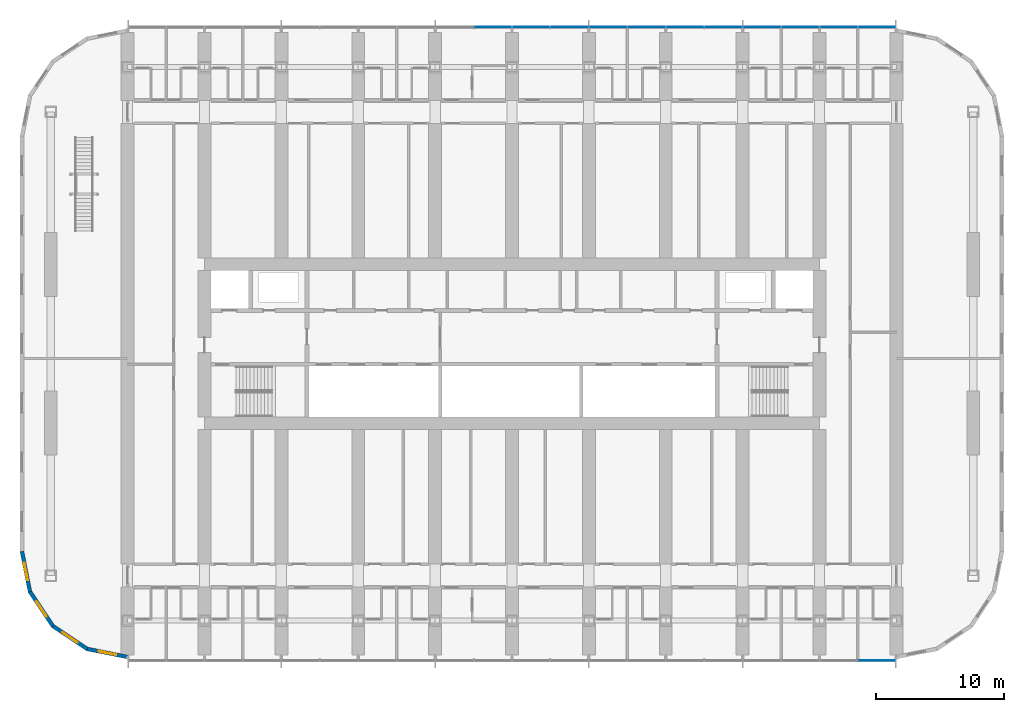
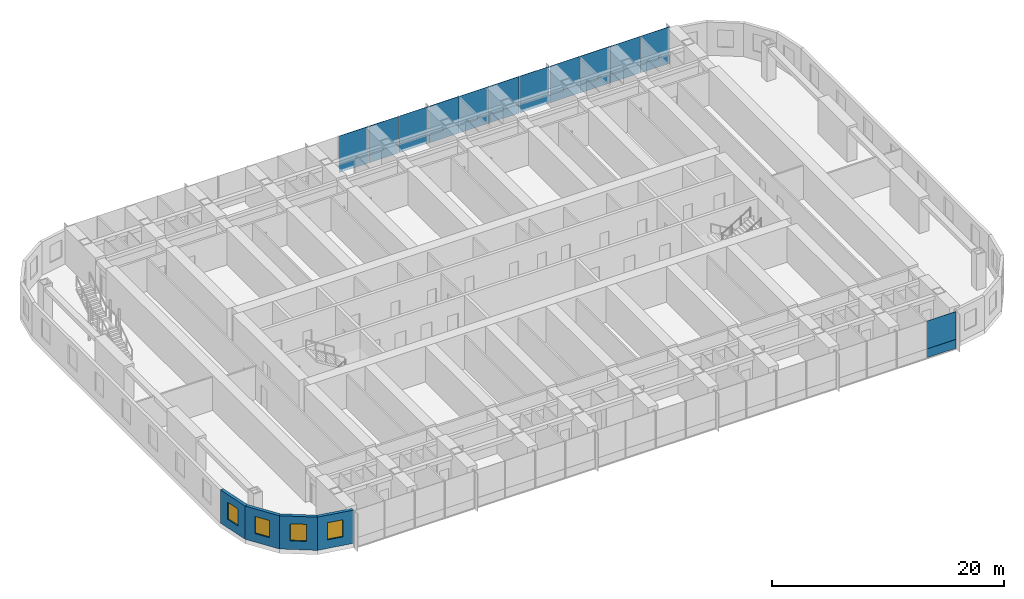
# One storey, part 11 of 28: 24 plates, 4 walls, 4 windows, 4 openings, 2 elements without a shape of their own.
"""IFC4 building model written with IfcOpenShell, lengths in metres."""

from ifc_helpers import new_model, si_unit, direction, frame, frame_2d, origin, origin_2d, place, context, subcontext, project, spatial, polyline, rectangle, outline, extrude, material, layer, layer_set, type_object, element, fill, aggregate, save


model = new_model("IFC4")

# Units and contexts
model_context = context("Model", 3, precision=1e-05, world=origin(), true_north=direction((0.0, 1.0)))
body_context = subcontext(model_context, "Body", "Model", "MODEL_VIEW")
ifc_project = project(units=[si_unit("LENGTHUNIT", "METRE"), si_unit("AREAUNIT", "SQUARE_METRE"), si_unit("VOLUMEUNIT", "CUBIC_METRE"), si_unit("PLANEANGLEUNIT", "RADIAN"), si_unit("MASSUNIT", "GRAM", prefix="KILO")], contexts=[model_context])

# Site, building, storey
site_placement = place(None, origin())
site = spatial("IfcSite", under=ifc_project, at=site_placement, CompositionType="ELEMENT")
building_placement = place(site_placement, origin())
building = spatial("IfcBuilding", under=site, at=building_placement, Name="Orbita Commons", CompositionType="ELEMENT")
storey_placement = place(building_placement, frame((0.0, 0.0, 23.949951171875)))
storey = spatial("IfcBuildingStorey", under=building, at=storey_placement, Name="L05", CompositionType="ELEMENT", Elevation=23.949951171875)

# Curtain wall, plate
ifc_material_1 = material(Name="Anodised aluminium frame, pale silver", Category="aluminium")
curtain_wall_type = type_object("IfcCurtainWallType", Name="Unitised curtain wall CW-T, vision and spandrel", PredefinedType="NOTDEFINED", material=ifc_material_1)
curtain_wall_1_placement = place(storey_placement, origin())
curtain_wall_1 = element("IfcCurtainWall", 1, at=curtain_wall_1_placement, inside=storey, type_object=curtain_wall_type, Name="Curtain wall south L05", PredefinedType="NOTDEFINED")
ifc_material_2 = material(Name="Anodised aluminium sheet on mineral wool", Category="aluminium")
ifc_layer_1 = layer(ifc_material_2, 0.050048828125)
ifc_layer_set_1 = layer_set([ifc_layer_1], Name="Anodised aluminium sheet on mineral wool")
plate_type_1 = type_object("IfcPlateType", Name="Spandrel panel, pale aluminium over insulation 50", PredefinedType="CURTAIN_PANEL", material=ifc_layer_set_1)
plate_1_placement = place(storey_placement, frame((70.47998046875, 7.2900390625, -0.35009765625), z_axis=(0.0, 0.0, 1.0), x_axis=(1.0, 0.0, 0.0)))
plate_1 = element("IfcPlate", 2, at=plate_1_placement, type_object=plate_type_1, Name="Panel 20.1 CW-L05-S", PredefinedType="CURTAIN_PANEL", context=body_context, shape_type="SweptSolid", body=[
    extrude(rectangle(XDim=2.8798828125, YDim=0.050048828125, at=origin_2d()), origin(), (0.0, 0.0, 1.0), 0.927001953125),
])

# Curtain wall, plates
curtain_wall_2_placement = place(storey_placement, origin())
curtain_wall_2 = element("IfcCurtainWall", 3, at=curtain_wall_2_placement, inside=storey, type_object=curtain_wall_type, Name="Curtain wall north L05", PredefinedType="NOTDEFINED")
plate_2_placement = place(storey_placement, frame((70.47998046875, 56.7099609375, -0.35009765625), z_axis=(0.0, 0.0, 1.0), x_axis=(-1.0, 0.0, 0.0)))
plate_2 = element("IfcPlate", 4, at=plate_2_placement, type_object=plate_type_1, Name="Panel 1.1 CW-L05-N", PredefinedType="CURTAIN_PANEL", context=body_context, shape_type="SweptSolid", body=[
    extrude(rectangle(XDim=2.8798828125, YDim=0.050048828125, at=origin_2d()), origin(), (0.0, 0.0, 1.0), 0.927001953125),
])
plate_3_placement = place(storey_placement, frame((67.5, 56.7099609375, -0.35009765625), z_axis=(0.0, 0.0, 1.0), x_axis=(-1.0, 0.0, 0.0)))
plate_3 = element("IfcPlate", 5, at=plate_3_placement, type_object=plate_type_1, Name="Panel 2.1 CW-L05-N", PredefinedType="CURTAIN_PANEL", context=body_context, shape_type="SweptSolid", body=[
    extrude(rectangle(XDim=2.919921875, YDim=0.050048828125, at=origin_2d()), origin(), (0.0, 0.0, 1.0), 0.927001953125),
])
plate_4_placement = place(storey_placement, frame((64.5, 56.7099609375, -0.35009765625), z_axis=(0.0, 0.0, 1.0), x_axis=(-1.0, 0.0, 0.0)))
plate_4 = element("IfcPlate", 6, at=plate_4_placement, type_object=plate_type_1, Name="Panel 3.1 CW-L05-N", PredefinedType="CURTAIN_PANEL", context=body_context, shape_type="SweptSolid", body=[
    extrude(rectangle(XDim=2.919921875, YDim=0.050048828125, at=origin_2d()), origin(), (0.0, 0.0, 1.0), 0.927001953125),
])
plate_5_placement = place(storey_placement, frame((61.5, 56.7099609375, -0.35009765625), z_axis=(0.0, 0.0, 1.0), x_axis=(-1.0, 0.0, 0.0)))
plate_5 = element("IfcPlate", 7, at=plate_5_placement, type_object=plate_type_1, Name="Panel 4.1 CW-L05-N", PredefinedType="CURTAIN_PANEL", context=body_context, shape_type="SweptSolid", body=[
    extrude(rectangle(XDim=2.919921875, YDim=0.050048828125, at=origin_2d()), origin(), (0.0, 0.0, 1.0), 0.927001953125),
])
plate_6_placement = place(storey_placement, frame((58.5, 56.7099609375, -0.35009765625), z_axis=(0.0, 0.0, 1.0), x_axis=(-1.0, 0.0, 0.0)))
plate_6 = element("IfcPlate", 8, at=plate_6_placement, type_object=plate_type_1, Name="Panel 5.1 CW-L05-N", PredefinedType="CURTAIN_PANEL", context=body_context, shape_type="SweptSolid", body=[
    extrude(rectangle(XDim=2.919921875, YDim=0.050048828125, at=origin_2d()), origin(), (0.0, 0.0, 1.0), 0.927001953125),
])
plate_7_placement = place(storey_placement, frame((55.5, 56.7099609375, -0.35009765625), z_axis=(0.0, 0.0, 1.0), x_axis=(-1.0, 0.0, 0.0)))
plate_7 = element("IfcPlate", 9, at=plate_7_placement, type_object=plate_type_1, Name="Panel 6.1 CW-L05-N", PredefinedType="CURTAIN_PANEL", context=body_context, shape_type="SweptSolid", body=[
    extrude(rectangle(XDim=2.919921875, YDim=0.050048828125, at=origin_2d()), origin(), (0.0, 0.0, 1.0), 0.927001953125),
])
plate_8_placement = place(storey_placement, frame((52.5, 56.7099609375, -0.35009765625), z_axis=(0.0, 0.0, 1.0), x_axis=(-1.0, 0.0, 0.0)))
plate_8 = element("IfcPlate", 10, at=plate_8_placement, type_object=plate_type_1, Name="Panel 7.1 CW-L05-N", PredefinedType="CURTAIN_PANEL", context=body_context, shape_type="SweptSolid", body=[
    extrude(rectangle(XDim=2.919921875, YDim=0.050048828125, at=origin_2d()), origin(), (0.0, 0.0, 1.0), 0.927001953125),
])
plate_9_placement = place(storey_placement, frame((49.5, 56.7099609375, -0.35009765625), z_axis=(0.0, 0.0, 1.0), x_axis=(-1.0, 0.0, 0.0)))
plate_9 = element("IfcPlate", 11, at=plate_9_placement, type_object=plate_type_1, Name="Panel 8.1 CW-L05-N", PredefinedType="CURTAIN_PANEL", context=body_context, shape_type="SweptSolid", body=[
    extrude(rectangle(XDim=2.919921875, YDim=0.050048828125, at=origin_2d()), origin(), (0.0, 0.0, 1.0), 0.927001953125),
])
plate_10_placement = place(storey_placement, frame((46.5, 56.7099609375, -0.35009765625), z_axis=(0.0, 0.0, 1.0), x_axis=(-1.0, 0.0, 0.0)))
plate_10 = element("IfcPlate", 12, at=plate_10_placement, type_object=plate_type_1, Name="Panel 9.1 CW-L05-N", PredefinedType="CURTAIN_PANEL", context=body_context, shape_type="SweptSolid", body=[
    extrude(rectangle(XDim=2.919921875, YDim=0.050048828125, at=origin_2d()), origin(), (0.0, 0.0, 1.0), 0.927001953125),
])
plate_11_placement = place(storey_placement, frame((43.5, 56.7099609375, -0.35009765625), z_axis=(0.0, 0.0, 1.0), x_axis=(-1.0, 0.0, 0.0)))
plate_11 = element("IfcPlate", 13, at=plate_11_placement, type_object=plate_type_1, Name="Panel 10.1 CW-L05-N", PredefinedType="CURTAIN_PANEL", context=body_context, shape_type="SweptSolid", body=[
    extrude(rectangle(XDim=2.919921875, YDim=0.050048828125, at=origin_2d()), origin(), (0.0, 0.0, 1.0), 0.927001953125),
])
plate_12_placement = place(storey_placement, frame((40.5, 56.7099609375, -0.35009765625), z_axis=(0.0, 0.0, 1.0), x_axis=(-1.0, 0.0, 0.0)))
plate_12 = element("IfcPlate", 14, at=plate_12_placement, type_object=plate_type_1, Name="Panel 11.1 CW-L05-N", PredefinedType="CURTAIN_PANEL", context=body_context, shape_type="SweptSolid", body=[
    extrude(rectangle(XDim=2.919921875, YDim=0.050048828125, at=origin_2d()), origin(), (0.0, 0.0, 1.0), 0.927001953125),
])

# Plate
ifc_material_3 = material(Name="Clear double glazing", Category="glass")
ifc_layer_2 = layer(ifc_material_3, 0.031982421875)
ifc_layer_set_2 = layer_set([ifc_layer_2], Name="Clear double glazing")
plate_type_2 = type_object("IfcPlateType", Name="Vision panel, clear double glazing 32", PredefinedType="CURTAIN_PANEL", material=ifc_layer_set_2)
plate_13_placement = place(storey_placement, frame((70.47998046875, 7.2900390625, 0.5771484375), z_axis=(0.0, 0.0, 1.0), x_axis=(1.0, 0.0, 0.0)))
plate_13 = element("IfcPlate", 15, at=plate_13_placement, type_object=plate_type_2, Name="Panel 20.2 CW-L05-S", PredefinedType="CURTAIN_PANEL", context=body_context, shape_type="SweptSolid", body=[
    extrude(rectangle(XDim=2.8798828125, YDim=0.031982421875, at=origin_2d()), origin(), (0.0, 0.0, 1.0), 2.923095703125),
])

aggregate(curtain_wall_1, [plate_1, plate_13])

plate_14_placement = place(storey_placement, frame((70.47998046875, 56.7099609375, 0.5771484375), z_axis=(0.0, 0.0, 1.0), x_axis=(-1.0, 0.0, 0.0)))
plate_14 = element("IfcPlate", 16, at=plate_14_placement, type_object=plate_type_2, Name="Panel 1.2 CW-L05-N", PredefinedType="CURTAIN_PANEL", context=body_context, shape_type="SweptSolid", body=[
    extrude(rectangle(XDim=2.8798828125, YDim=0.031982421875, at=origin_2d()), origin(), (0.0, 0.0, 1.0), 2.923095703125),
])

plate_15_placement = place(storey_placement, frame((67.5, 56.7099609375, 0.5771484375), z_axis=(0.0, 0.0, 1.0), x_axis=(-1.0, 0.0, 0.0)))
plate_15 = element("IfcPlate", 17, at=plate_15_placement, type_object=plate_type_2, Name="Panel 2.2 CW-L05-N", PredefinedType="CURTAIN_PANEL", context=body_context, shape_type="SweptSolid", body=[
    extrude(rectangle(XDim=2.919921875, YDim=0.031982421875, at=origin_2d()), origin(), (0.0, 0.0, 1.0), 2.923095703125),
])

plate_16_placement = place(storey_placement, frame((64.5, 56.7099609375, 0.5771484375), z_axis=(0.0, 0.0, 1.0), x_axis=(-1.0, 0.0, 0.0)))
plate_16 = element("IfcPlate", 18, at=plate_16_placement, type_object=plate_type_2, Name="Panel 3.2 CW-L05-N", PredefinedType="CURTAIN_PANEL", context=body_context, shape_type="SweptSolid", body=[
    extrude(rectangle(XDim=2.919921875, YDim=0.031982421875, at=origin_2d()), origin(), (0.0, 0.0, 1.0), 2.923095703125),
])

plate_17_placement = place(storey_placement, frame((61.5, 56.7099609375, 0.5771484375), z_axis=(0.0, 0.0, 1.0), x_axis=(-1.0, 0.0, 0.0)))
plate_17 = element("IfcPlate", 19, at=plate_17_placement, type_object=plate_type_2, Name="Panel 4.2 CW-L05-N", PredefinedType="CURTAIN_PANEL", context=body_context, shape_type="SweptSolid", body=[
    extrude(rectangle(XDim=2.919921875, YDim=0.031982421875, at=origin_2d()), origin(), (0.0, 0.0, 1.0), 2.923095703125),
])

plate_18_placement = place(storey_placement, frame((58.5, 56.7099609375, 0.5771484375), z_axis=(0.0, 0.0, 1.0), x_axis=(-1.0, 0.0, 0.0)))
plate_18 = element("IfcPlate", 20, at=plate_18_placement, type_object=plate_type_2, Name="Panel 5.2 CW-L05-N", PredefinedType="CURTAIN_PANEL", context=body_context, shape_type="SweptSolid", body=[
    extrude(rectangle(XDim=2.919921875, YDim=0.031982421875, at=origin_2d()), origin(), (0.0, 0.0, 1.0), 2.923095703125),
])

plate_19_placement = place(storey_placement, frame((55.5, 56.7099609375, 0.5771484375), z_axis=(0.0, 0.0, 1.0), x_axis=(-1.0, 0.0, 0.0)))
plate_19 = element("IfcPlate", 21, at=plate_19_placement, type_object=plate_type_2, Name="Panel 6.2 CW-L05-N", PredefinedType="CURTAIN_PANEL", context=body_context, shape_type="SweptSolid", body=[
    extrude(rectangle(XDim=2.919921875, YDim=0.031982421875, at=origin_2d()), origin(), (0.0, 0.0, 1.0), 2.923095703125),
])

plate_20_placement = place(storey_placement, frame((52.5, 56.7099609375, 0.5771484375), z_axis=(0.0, 0.0, 1.0), x_axis=(-1.0, 0.0, 0.0)))
plate_20 = element("IfcPlate", 22, at=plate_20_placement, type_object=plate_type_2, Name="Panel 7.2 CW-L05-N", PredefinedType="CURTAIN_PANEL", context=body_context, shape_type="SweptSolid", body=[
    extrude(rectangle(XDim=2.919921875, YDim=0.031982421875, at=origin_2d()), origin(), (0.0, 0.0, 1.0), 2.923095703125),
])

plate_21_placement = place(storey_placement, frame((49.5, 56.7099609375, 0.5771484375), z_axis=(0.0, 0.0, 1.0), x_axis=(-1.0, 0.0, 0.0)))
plate_21 = element("IfcPlate", 23, at=plate_21_placement, type_object=plate_type_2, Name="Panel 8.2 CW-L05-N", PredefinedType="CURTAIN_PANEL", context=body_context, shape_type="SweptSolid", body=[
    extrude(rectangle(XDim=2.919921875, YDim=0.031982421875, at=origin_2d()), origin(), (0.0, 0.0, 1.0), 2.923095703125),
])

plate_22_placement = place(storey_placement, frame((46.5, 56.7099609375, 0.5771484375), z_axis=(0.0, 0.0, 1.0), x_axis=(-1.0, 0.0, 0.0)))
plate_22 = element("IfcPlate", 24, at=plate_22_placement, type_object=plate_type_2, Name="Panel 9.2 CW-L05-N", PredefinedType="CURTAIN_PANEL", context=body_context, shape_type="SweptSolid", body=[
    extrude(rectangle(XDim=2.919921875, YDim=0.031982421875, at=origin_2d()), origin(), (0.0, 0.0, 1.0), 2.923095703125),
])

plate_23_placement = place(storey_placement, frame((43.5, 56.7099609375, 0.5771484375), z_axis=(0.0, 0.0, 1.0), x_axis=(-1.0, 0.0, 0.0)))
plate_23 = element("IfcPlate", 25, at=plate_23_placement, type_object=plate_type_2, Name="Panel 10.2 CW-L05-N", PredefinedType="CURTAIN_PANEL", context=body_context, shape_type="SweptSolid", body=[
    extrude(rectangle(XDim=2.919921875, YDim=0.031982421875, at=origin_2d()), origin(), (0.0, 0.0, 1.0), 2.923095703125),
])

plate_24_placement = place(storey_placement, frame((40.5, 56.7099609375, 0.5771484375), z_axis=(0.0, 0.0, 1.0), x_axis=(-1.0, 0.0, 0.0)))
plate_24 = element("IfcPlate", 26, at=plate_24_placement, type_object=plate_type_2, Name="Panel 11.2 CW-L05-N", PredefinedType="CURTAIN_PANEL", context=body_context, shape_type="SweptSolid", body=[
    extrude(rectangle(XDim=2.919921875, YDim=0.031982421875, at=origin_2d()), origin(), (0.0, 0.0, 1.0), 2.923095703125),
])

aggregate(curtain_wall_2, [plate_2, plate_14, plate_3, plate_15, plate_4, plate_16, plate_5, plate_17, plate_6, plate_18, plate_7, plate_19, plate_8, plate_20, plate_9, plate_21, plate_10, plate_22, plate_11, plate_23, plate_12, plate_24])

# Wall, opening, window
ifc_material_4 = material(Name="Precast concrete C40/50, white board-marked finish", Category="concrete")
ifc_layer_3 = layer(ifc_material_4, 0.300048828125)
ifc_layer_set_3 = layer_set([ifc_layer_3], Name="Precast concrete C40/50, white board-marked finish")
wall_type = type_object("IfcWallType", Name="Precast concrete end shield 300", PredefinedType="SOLIDWALL", material=ifc_layer_set_3)
wall_1_placement = place(storey_placement, frame((3.75, 15.800048828125, 0.0), z_axis=(0.0, 0.0, 1.0), x_axis=(0.195065901187, -0.980790137692, 0.0)))
wall_1 = element("IfcWall", 27, at=wall_1_placement, inside=storey, type_object=wall_type, Name="End shield SW chord 1 L05", PredefinedType="SOLIDWALL", context=body_context, shape_type="SweptSolid", body=[
    extrude(outline(polyline([(-0.014892578125, -0.14990234375), (3.248779296875, -0.14990234375), (3.189208984375, 0.14990234375), (0.014892578125, 0.14990234375), (-0.014892578125, -0.14990234375)])), origin(), (0.0, 0.0, 1.0), 3.5),
])
opening_1_placement = place(wall_1_placement, frame((0.909423828125, 0.0, 0.89990234375)))
opening_1 = element("IfcOpeningElement", 28, at=opening_1_placement, cuts=wall_1, Name="Opening W02", PredefinedType="OPENING", context=body_context, shape_type="SweptSolid", body=[
    extrude(rectangle(XDim=1.39990234375, YDim=1.800048828125, at=frame_2d((0.699951171875, 0.89990234375))), frame((0.0, 0.159912109375, 0.0), z_axis=(0.0, -1.0, 0.0), x_axis=(1.0, 0.0, 0.0)), (0.0, 0.0, 1.0), 0.320068359375),
])
ifc_material_5 = material(Name="Aluminium frame, clear double glazing", Category="aluminium")
window_type = type_object("IfcWindowType", Name="Deep-set window 1400x1800", PartitioningType="SINGLE_PANEL", PredefinedType="WINDOW", material=ifc_material_5)
window_1_placement = place(opening_1_placement, origin())
window_1 = element("IfcWindow", 29, at=window_1_placement, inside=storey, type_object=window_type, Name="Window L05-SW0", OverallHeight=1.800048828125, OverallWidth=1.39990234375, PartitioningType="SINGLE_PANEL", PredefinedType="WINDOW", context=body_context, shape_type="SweptSolid", body=[
    extrude(rectangle(XDim=1.39990234375, YDim=1.800048828125, at=frame_2d((0.699951171875, 0.89990234375))), frame((0.0, 0.030029296875, 0.0), z_axis=(0.0, -1.0, 0.0), x_axis=(1.0, 0.0, 0.0)), (0.0, 0.0, 1.0), 0.06005859375),
])
fill(opening_1, window_1)

wall_2_placement = place(storey_placement, frame((4.3779296875, 12.642822265625, 0.0), z_axis=(0.0, 0.0, 1.0), x_axis=(0.555609954424, -0.831443069936, 0.0)))
wall_2 = element("IfcWall", 30, at=wall_2_placement, inside=storey, type_object=wall_type, Name="End shield SW chord 2 L05", PredefinedType="SOLIDWALL", context=body_context, shape_type="SweptSolid", body=[
    extrude(outline(polyline([(-0.02978515625, -0.14990234375), (3.2490234375, -0.14990234375), (3.189453125, 0.14990234375), (0.02978515625, 0.14990234375), (-0.02978515625, -0.14990234375)])), origin(), (0.0, 0.0, 1.0), 3.5),
])
opening_2_placement = place(wall_2_placement, frame((0.909423828125, 0.0, 0.89990234375)))
opening_2 = element("IfcOpeningElement", 31, at=opening_2_placement, cuts=wall_2, Name="Opening W02", PredefinedType="OPENING", context=body_context, shape_type="SweptSolid", body=[
    extrude(rectangle(XDim=1.39990234375, YDim=1.800048828125, at=frame_2d((0.699951171875, 0.89990234375))), frame((0.0, 0.159912109375, 0.0), z_axis=(0.0, -1.0, 0.0), x_axis=(1.0, 0.0, 0.0)), (0.0, 0.0, 1.0), 0.320068359375),
])
window_2_placement = place(opening_2_placement, origin())
window_2 = element("IfcWindow", 32, at=window_2_placement, inside=storey, type_object=window_type, Name="Window L05-SW1", OverallHeight=1.800048828125, OverallWidth=1.39990234375, PartitioningType="SINGLE_PANEL", PredefinedType="WINDOW", context=body_context, shape_type="SweptSolid", body=[
    extrude(rectangle(XDim=1.39990234375, YDim=1.800048828125, at=frame_2d((0.699951171875, 0.89990234375))), frame((0.0, 0.030029296875, 0.0), z_axis=(0.0, -1.0, 0.0), x_axis=(1.0, 0.0, 0.0)), (0.0, 0.0, 1.0), 0.06005859375),
])
fill(opening_2, window_2)

wall_3_placement = place(storey_placement, frame((6.16650390625, 9.96630859375, 0.0), z_axis=(0.0, 0.0, 1.0), x_axis=(0.831478105043, -0.555557522525, 0.0)))
wall_3 = element("IfcWall", 33, at=wall_3_placement, inside=storey, type_object=wall_type, Name="End shield SW chord 3 L05", PredefinedType="SOLIDWALL", context=body_context, shape_type="SweptSolid", body=[
    extrude(outline(polyline([(-0.02978515625, -0.14990234375), (3.248779296875, -0.14990234375), (3.189208984375, 0.14990234375), (0.02978515625, 0.14990234375), (-0.02978515625, -0.14990234375)])), origin(), (0.0, 0.0, 1.0), 3.5),
])
opening_3_placement = place(wall_3_placement, frame((0.909423828125, 0.0, 0.89990234375)))
opening_3 = element("IfcOpeningElement", 34, at=opening_3_placement, cuts=wall_3, Name="Opening W02", PredefinedType="OPENING", context=body_context, shape_type="SweptSolid", body=[
    extrude(rectangle(XDim=1.39990234375, YDim=1.800048828125, at=frame_2d((0.699951171875, 0.89990234375))), frame((0.0, 0.159912109375, 0.0), z_axis=(0.0, -1.0, 0.0), x_axis=(1.0, 0.0, 0.0)), (0.0, 0.0, 1.0), 0.320068359375),
])
window_3_placement = place(opening_3_placement, origin())
window_3 = element("IfcWindow", 35, at=window_3_placement, inside=storey, type_object=window_type, Name="Window L05-SW2", OverallHeight=1.800048828125, OverallWidth=1.39990234375, PartitioningType="SINGLE_PANEL", PredefinedType="WINDOW", context=body_context, shape_type="SweptSolid", body=[
    extrude(rectangle(XDim=1.39990234375, YDim=1.800048828125, at=frame_2d((0.699951171875, 0.89990234375))), frame((0.0, 0.030029296875, 0.0), z_axis=(0.0, -1.0, 0.0), x_axis=(1.0, 0.0, 0.0)), (0.0, 0.0, 1.0), 0.06005859375),
])
fill(opening_3, window_3)

wall_4_placement = place(storey_placement, frame((8.843017578125, 8.177978515625, 0.0), z_axis=(0.0, 0.0, 1.0), x_axis=(0.980787251524, -0.195080412259, 0.0)))
wall_4 = element("IfcWall", 36, at=wall_4_placement, inside=storey, type_object=wall_type, Name="End shield SW chord 4 L05", PredefinedType="SOLIDWALL", context=body_context, shape_type="SweptSolid", body=[
    extrude(outline(polyline([(-0.02978515625, -0.14990234375), (3.24853515625, -0.14990234375), (3.18896484375, 0.14990234375), (0.02978515625, 0.14990234375), (-0.02978515625, -0.14990234375)])), origin(), (0.0, 0.0, 1.0), 3.5),
])
opening_4_placement = place(wall_4_placement, frame((0.909423828125, 0.0, 0.89990234375)))
opening_4 = element("IfcOpeningElement", 37, at=opening_4_placement, cuts=wall_4, Name="Opening W02", PredefinedType="OPENING", context=body_context, shape_type="SweptSolid", body=[
    extrude(rectangle(XDim=1.39990234375, YDim=1.800048828125, at=frame_2d((0.699951171875, 0.89990234375))), frame((0.0, 0.159912109375, 0.0), z_axis=(0.0, -1.0, 0.0), x_axis=(1.0, 0.0, 0.0)), (0.0, 0.0, 1.0), 0.320068359375),
])
window_4_placement = place(opening_4_placement, origin())
window_4 = element("IfcWindow", 38, at=window_4_placement, inside=storey, type_object=window_type, Name="Window L05-SW3", OverallHeight=1.800048828125, OverallWidth=1.39990234375, PartitioningType="SINGLE_PANEL", PredefinedType="WINDOW", context=body_context, shape_type="SweptSolid", body=[
    extrude(rectangle(XDim=1.39990234375, YDim=1.800048828125, at=frame_2d((0.699951171875, 0.89990234375))), frame((0.0, 0.030029296875, 0.0), z_axis=(0.0, -1.0, 0.0), x_axis=(1.0, 0.0, 0.0)), (0.0, 0.0, 1.0), 0.06005859375),
])
fill(opening_4, window_4)

save(model, "model.ifc")
